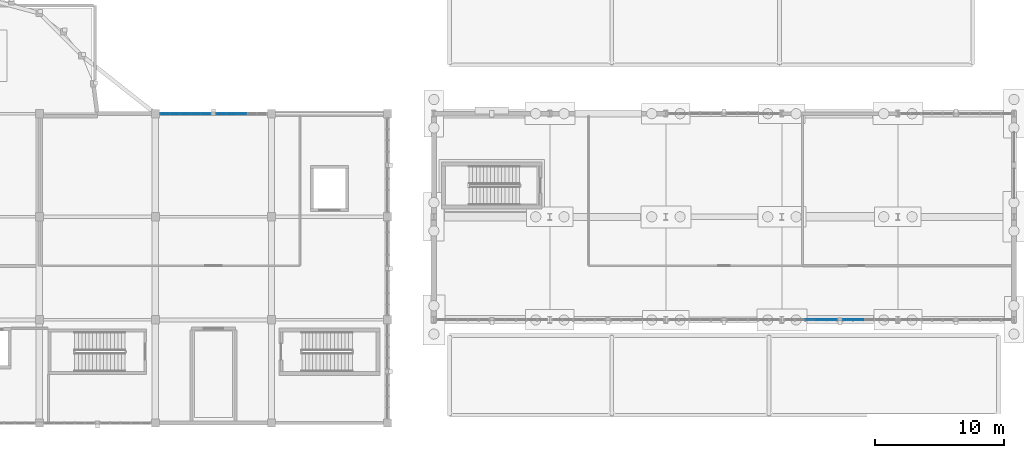
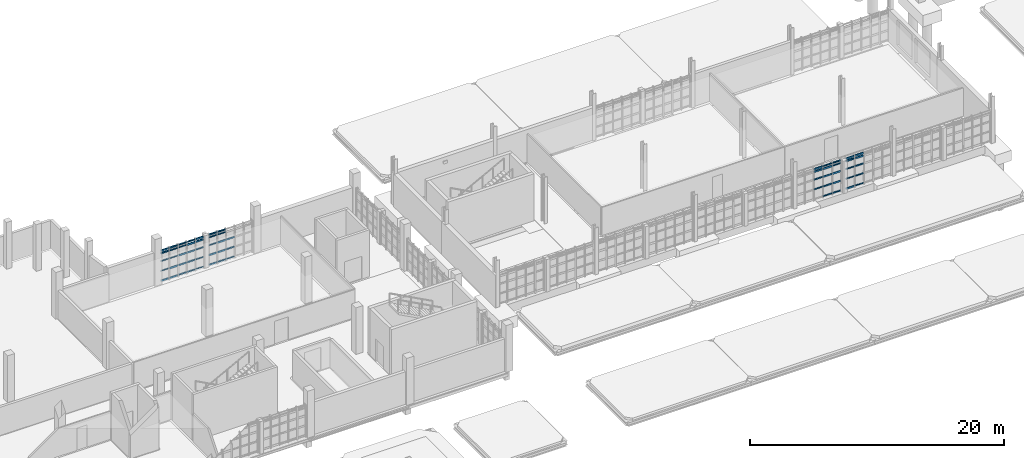
# One storey, part 64 of 125: 62 members, 4 elements without a shape of their own.
"""IFC4 building model written with IfcOpenShell, lengths in metres."""

from ifc_helpers import new_model, si_unit, direction, frame, origin, origin_2d, place, context, subcontext, project, spatial, rectangle, extrude, material, material_profile, profile_set, type_object, element, aggregate, save


model = new_model("IFC4")

# Units and contexts
model_context = context("Model", 3, precision=1e-05, world=origin(), true_north=direction((0.0, 1.0)))
body_context = subcontext(model_context, "Body", "Model", "MODEL_VIEW")
ifc_project = project(units=[si_unit("LENGTHUNIT", "METRE"), si_unit("AREAUNIT", "SQUARE_METRE"), si_unit("VOLUMEUNIT", "CUBIC_METRE"), si_unit("PLANEANGLEUNIT", "RADIAN"), si_unit("MASSUNIT", "GRAM", prefix="KILO")], contexts=[model_context])

# Site, building, storey
site_placement = place(None, origin())
site = spatial("IfcSite", under=ifc_project, at=site_placement, CompositionType="ELEMENT")
building_placement = place(site_placement, origin())
building = spatial("IfcBuilding", under=site, at=building_placement, Name="Serraforn Aerial Cableway Station", CompositionType="ELEMENT")
storey_placement = place(building_placement, frame((0.0, 0.0, 4.5)))
storey = spatial("IfcBuildingStorey", under=building, at=storey_placement, Name="L01", CompositionType="ELEMENT", Elevation=4.5)

# Curtain wall, members
ifc_material_1 = material(Name="Anodised bronze unitised curtain wall")
curtain_wall_type_1 = type_object("IfcCurtainWallType", Name="CW-SYS-27", PredefinedType="USERDEFINED", material=ifc_material_1)
curtain_wall_1_placement = place(storey_placement, origin())
curtain_wall_1 = element("IfcCurtainWall", 1, at=curtain_wall_1_placement, inside=storey, type_object=curtain_wall_type_1, Name="Unitised Curtain Wall CW-CV-L01-N6A", ObjectType="UNITISED CURTAIN WALL", PredefinedType="USERDEFINED")
ifc_material_2 = material(Name="Anodised bronze extruded aluminium", Category="aluminium")
ifc_material_profile_1 = material_profile(ifc_material_2, rectangle(XDim=0.054931640625, YDim=0.110107421875, at=origin_2d()), Name="CW TRANSOM 55x110")
ifc_profile_set_1 = profile_set([ifc_material_profile_1], Name="Anodised bronze extruded aluminium")
member_type_1 = type_object("IfcMemberType", Name="CW-TRN-1", PredefinedType="USERDEFINED", material=ifc_profile_set_1)
member_1_placement = place(storey_placement, frame((78.850830078125, 42.0, 2.74560546875), z_axis=(-1.0, 0.0, 0.0), x_axis=(0.0, -1.0, 0.0)))
member_1 = element("IfcMember", 2, at=member_1_placement, type_object=member_type_1, Name="Curtain Wall Transom CW-CV-L01-N6A-T4-4", ObjectType="TRANSOM", PredefinedType="USERDEFINED", context=body_context, shape_type="SweptSolid", body=[
    extrude(rectangle(XDim=0.054931640625, YDim=0.110107421875, at=origin_2d()), origin(), (0.0, 0.0, 1.0), 0.740966796875),
])
member_2_placement = place(storey_placement, frame((78.048828125, 42.0, 1.996826171875), z_axis=(-1.0, 0.0, 0.0), x_axis=(0.0, -1.0, 0.0)))
member_2 = element("IfcMember", 3, at=member_2_placement, type_object=member_type_1, Name="Curtain Wall Transom CW-CV-L01-N6A-T5-3", ObjectType="TRANSOM", PredefinedType="USERDEFINED", context=body_context, shape_type="SweptSolid", body=[
    extrude(rectangle(XDim=0.054931640625, YDim=0.110107421875, at=origin_2d()), origin(), (0.0, 0.0, 1.0), 0.700927734375),
])

curtain_wall_type_2 = type_object("IfcCurtainWallType", Name="CW-SYS-28", PredefinedType="USERDEFINED", material=ifc_material_1)
curtain_wall_2_placement = place(storey_placement, origin())
curtain_wall_2 = element("IfcCurtainWall", 4, at=curtain_wall_2_placement, inside=storey, type_object=curtain_wall_type_2, Name="Unitised Curtain Wall CW-CV-L01-N6B", ObjectType="UNITISED CURTAIN WALL", PredefinedType="USERDEFINED")
member_3_placement = place(storey_placement, frame((76.846923828125, 42.0, 0.124755859375), z_axis=(-1.0, 0.0, 0.0), x_axis=(0.0, -1.0, 0.0)))
member_3 = element("IfcMember", 5, at=member_3_placement, type_object=member_type_1, Name="Curtain Wall Transom CW-CV-L01-N6B-T1-1", ObjectType="TRANSOM", PredefinedType="USERDEFINED", context=body_context, shape_type="SweptSolid", body=[
    extrude(rectangle(XDim=0.054931640625, YDim=0.110107421875, at=origin_2d()), origin(), (0.0, 0.0, 1.0), 0.700927734375),
])
member_4_placement = place(storey_placement, frame((76.09521484375, 42.0, 2.9951171875), z_axis=(-1.0, 0.0, 0.0), x_axis=(0.0, -1.0, 0.0)))
member_4 = element("IfcMember", 6, at=member_4_placement, type_object=member_type_1, Name="Curtain Wall Transom CW-CV-L01-N6B-T2-5", ObjectType="TRANSOM", PredefinedType="USERDEFINED", context=body_context, shape_type="SweptSolid", body=[
    extrude(rectangle(XDim=0.054931640625, YDim=0.110107421875, at=origin_2d()), origin(), (0.0, 0.0, 1.0), 0.74609375),
])
member_5_placement = place(storey_placement, frame((75.293212890625, 42.0, 2.74560546875), z_axis=(-1.0, 0.0, 0.0), x_axis=(0.0, -1.0, 0.0)))
member_5 = element("IfcMember", 7, at=member_5_placement, type_object=member_type_1, Name="Curtain Wall Transom CW-CV-L01-N6B-T3-4", ObjectType="TRANSOM", PredefinedType="USERDEFINED", context=body_context, shape_type="SweptSolid", body=[
    extrude(rectangle(XDim=0.054931640625, YDim=0.110107421875, at=origin_2d()), origin(), (0.0, 0.0, 1.0), 0.740966796875),
])
member_6_placement = place(storey_placement, frame((74.4912109375, 42.0, 1.996826171875), z_axis=(-1.0, 0.0, 0.0), x_axis=(0.0, -1.0, 0.0)))
member_6 = element("IfcMember", 8, at=member_6_placement, type_object=member_type_1, Name="Curtain Wall Transom CW-CV-L01-N6B-T4-3", ObjectType="TRANSOM", PredefinedType="USERDEFINED", context=body_context, shape_type="SweptSolid", body=[
    extrude(rectangle(XDim=0.054931640625, YDim=0.110107421875, at=origin_2d()), origin(), (0.0, 0.0, 1.0), 0.73583984375),
])
member_7_placement = place(storey_placement, frame((73.689453125, 42.0, 1.060791015625), z_axis=(-1.0, 0.0, 0.0), x_axis=(0.0, -1.0, 0.0)))
member_7 = element("IfcMember", 9, at=member_7_placement, type_object=member_type_1, Name="Curtain Wall Transom CW-CV-L01-N6B-T5-2", ObjectType="TRANSOM", PredefinedType="USERDEFINED", context=body_context, shape_type="SweptSolid", body=[
    extrude(rectangle(XDim=0.054931640625, YDim=0.110107421875, at=origin_2d()), origin(), (0.0, 0.0, 1.0), 0.693359375),
])

curtain_wall_type_3 = type_object("IfcCurtainWallType", Name="CW-SYS-17", PredefinedType="USERDEFINED", material=ifc_material_1)
curtain_wall_3_placement = place(storey_placement, origin())
curtain_wall_3 = element("IfcCurtainWall", 10, at=curtain_wall_3_placement, inside=storey, type_object=curtain_wall_type_3, Name="Unitised Curtain Wall CW-EL-L01-S4A", ObjectType="UNITISED CURTAIN WALL", PredefinedType="USERDEFINED")
member_8_placement = place(storey_placement, frame((123.876708984375, 26.0, 2.9951171875), z_axis=(1.0, 0.0, 0.0), x_axis=(0.0, 1.0, 0.0)))
member_8 = element("IfcMember", 11, at=member_8_placement, type_object=member_type_1, Name="Curtain Wall Transom CW-EL-L01-S4A-T4-5", ObjectType="TRANSOM", PredefinedType="USERDEFINED", context=body_context, shape_type="SweptSolid", body=[
    extrude(rectangle(XDim=0.054931640625, YDim=0.110107421875, at=origin_2d()), origin(), (0.0, 0.0, 1.0), 0.781005859375),
])
member_9_placement = place(storey_placement, frame((124.713623046875, 26.0, 2.74560546875), z_axis=(1.0, 0.0, 0.0), x_axis=(0.0, 1.0, 0.0)))
member_9 = element("IfcMember", 12, at=member_9_placement, type_object=member_type_1, Name="Curtain Wall Transom CW-EL-L01-S4A-T5-4", ObjectType="TRANSOM", PredefinedType="USERDEFINED", context=body_context, shape_type="SweptSolid", body=[
    extrude(rectangle(XDim=0.054931640625, YDim=0.110107421875, at=origin_2d()), origin(), (0.0, 0.0, 1.0), 0.743408203125),
])

curtain_wall_type_4 = type_object("IfcCurtainWallType", Name="CW-SYS-18", PredefinedType="USERDEFINED", material=ifc_material_1)
curtain_wall_4_placement = place(storey_placement, origin())
curtain_wall_4 = element("IfcCurtainWall", 13, at=curtain_wall_4_placement, inside=storey, type_object=curtain_wall_type_4, Name="Unitised Curtain Wall CW-EL-L01-S4B", ObjectType="UNITISED CURTAIN WALL", PredefinedType="USERDEFINED")
member_10_placement = place(storey_placement, frame((125.947998046875, 26.0, 1.060791015625), z_axis=(1.0, 0.0, 0.0), x_axis=(0.0, 1.0, 0.0)))
member_10 = element("IfcMember", 14, at=member_10_placement, type_object=member_type_1, Name="Curtain Wall Transom CW-EL-L01-S4B-T1-2", ObjectType="TRANSOM", PredefinedType="USERDEFINED", context=body_context, shape_type="SweptSolid", body=[
    extrude(rectangle(XDim=0.054931640625, YDim=0.110107421875, at=origin_2d()), origin(), (0.0, 0.0, 1.0), 0.73095703125),
])
member_11_placement = place(storey_placement, frame((126.75, 26.0, 0.124755859375), z_axis=(1.0, 0.0, 0.0), x_axis=(0.0, 1.0, 0.0)))
member_11 = element("IfcMember", 15, at=member_11_placement, type_object=member_type_1, Name="Curtain Wall Transom CW-EL-L01-S4B-T2-1", ObjectType="TRANSOM", PredefinedType="USERDEFINED", context=body_context, shape_type="SweptSolid", body=[
    extrude(rectangle(XDim=0.054931640625, YDim=0.110107421875, at=origin_2d()), origin(), (0.0, 0.0, 1.0), 0.773193359375),
])

# Member
ifc_material_profile_2 = material_profile(ifc_material_2, rectangle(XDim=0.06005859375, YDim=0.1201171875, at=origin_2d()), Name="CW TRANSOM 60x120")
ifc_profile_set_2 = profile_set([ifc_material_profile_2], Name="Anodised bronze extruded aluminium")
member_type_2 = type_object("IfcMemberType", Name="CW-TRN-2", PredefinedType="USERDEFINED", material=ifc_profile_set_2)
member_12_placement = place(storey_placement, frame((79.652587890625, 42.0, 0.124755859375), z_axis=(-1.0, 0.0, 0.0), x_axis=(0.0, -1.0, 0.0)))
member_12 = element("IfcMember", 16, at=member_12_placement, type_object=member_type_2, Name="Curtain Wall Transom CW-CV-L01-N6A-T3-1", ObjectType="TRANSOM", PredefinedType="USERDEFINED", context=body_context, shape_type="SweptSolid", body=[
    extrude(rectangle(XDim=0.06005859375, YDim=0.1201171875, at=origin_2d()), origin(), (0.0, 0.0, 1.0), 0.745849609375),
])

member_13_placement = place(storey_placement, frame((78.850830078125, 42.0, 2.9951171875), z_axis=(-1.0, 0.0, 0.0), x_axis=(0.0, -1.0, 0.0)))
member_13 = element("IfcMember", 17, at=member_13_placement, type_object=member_type_2, Name="Curtain Wall Transom CW-CV-L01-N6A-T4-5", ObjectType="TRANSOM", PredefinedType="USERDEFINED", context=body_context, shape_type="SweptSolid", body=[
    extrude(rectangle(XDim=0.06005859375, YDim=0.1201171875, at=origin_2d()), origin(), (0.0, 0.0, 1.0), 0.740966796875),
])

member_14_placement = place(storey_placement, frame((78.048828125, 42.0, 2.74560546875), z_axis=(-1.0, 0.0, 0.0), x_axis=(0.0, -1.0, 0.0)))
member_14 = element("IfcMember", 18, at=member_14_placement, type_object=member_type_2, Name="Curtain Wall Transom CW-CV-L01-N6A-T5-4", ObjectType="TRANSOM", PredefinedType="USERDEFINED", context=body_context, shape_type="SweptSolid", body=[
    extrude(rectangle(XDim=0.06005859375, YDim=0.1201171875, at=origin_2d()), origin(), (0.0, 0.0, 1.0), 0.700927734375),
])

member_15_placement = place(storey_placement, frame((76.846923828125, 42.0, 1.060791015625), z_axis=(-1.0, 0.0, 0.0), x_axis=(0.0, -1.0, 0.0)))
member_15 = element("IfcMember", 19, at=member_15_placement, type_object=member_type_2, Name="Curtain Wall Transom CW-CV-L01-N6B-T1-2", ObjectType="TRANSOM", PredefinedType="USERDEFINED", context=body_context, shape_type="SweptSolid", body=[
    extrude(rectangle(XDim=0.06005859375, YDim=0.1201171875, at=origin_2d()), origin(), (0.0, 0.0, 1.0), 0.700927734375),
])

member_16_placement = place(storey_placement, frame((76.09521484375, 42.0, 0.124755859375), z_axis=(-1.0, 0.0, 0.0), x_axis=(0.0, -1.0, 0.0)))
member_16 = element("IfcMember", 20, at=member_16_placement, type_object=member_type_2, Name="Curtain Wall Transom CW-CV-L01-N6B-T2-1", ObjectType="TRANSOM", PredefinedType="USERDEFINED", context=body_context, shape_type="SweptSolid", body=[
    extrude(rectangle(XDim=0.06005859375, YDim=0.1201171875, at=origin_2d()), origin(), (0.0, 0.0, 1.0), 0.74609375),
])

member_17_placement = place(storey_placement, frame((75.293212890625, 42.0, 2.9951171875), z_axis=(-1.0, 0.0, 0.0), x_axis=(0.0, -1.0, 0.0)))
member_17 = element("IfcMember", 21, at=member_17_placement, type_object=member_type_2, Name="Curtain Wall Transom CW-CV-L01-N6B-T3-5", ObjectType="TRANSOM", PredefinedType="USERDEFINED", context=body_context, shape_type="SweptSolid", body=[
    extrude(rectangle(XDim=0.06005859375, YDim=0.1201171875, at=origin_2d()), origin(), (0.0, 0.0, 1.0), 0.740966796875),
])

member_18_placement = place(storey_placement, frame((74.4912109375, 42.0, 2.74560546875), z_axis=(-1.0, 0.0, 0.0), x_axis=(0.0, -1.0, 0.0)))
member_18 = element("IfcMember", 22, at=member_18_placement, type_object=member_type_2, Name="Curtain Wall Transom CW-CV-L01-N6B-T4-4", ObjectType="TRANSOM", PredefinedType="USERDEFINED", context=body_context, shape_type="SweptSolid", body=[
    extrude(rectangle(XDim=0.06005859375, YDim=0.1201171875, at=origin_2d()), origin(), (0.0, 0.0, 1.0), 0.73583984375),
])

member_19_placement = place(storey_placement, frame((73.689453125, 42.0, 1.996826171875), z_axis=(-1.0, 0.0, 0.0), x_axis=(0.0, -1.0, 0.0)))
member_19 = element("IfcMember", 23, at=member_19_placement, type_object=member_type_2, Name="Curtain Wall Transom CW-CV-L01-N6B-T5-3", ObjectType="TRANSOM", PredefinedType="USERDEFINED", context=body_context, shape_type="SweptSolid", body=[
    extrude(rectangle(XDim=0.06005859375, YDim=0.1201171875, at=origin_2d()), origin(), (0.0, 0.0, 1.0), 0.693359375),
])

member_20_placement = place(storey_placement, frame((123.05224609375, 26.0, 1.060791015625), z_axis=(1.0, 0.0, 0.0), x_axis=(0.0, 1.0, 0.0)))
member_20 = element("IfcMember", 24, at=member_20_placement, type_object=member_type_2, Name="Curtain Wall Transom CW-EL-L01-S4A-T3-2", ObjectType="TRANSOM", PredefinedType="USERDEFINED", context=body_context, shape_type="SweptSolid", body=[
    extrude(rectangle(XDim=0.06005859375, YDim=0.1201171875, at=origin_2d()), origin(), (0.0, 0.0, 1.0), 0.7734375),
])

member_21_placement = place(storey_placement, frame((123.876708984375, 26.0, 0.124755859375), z_axis=(1.0, 0.0, 0.0), x_axis=(0.0, 1.0, 0.0)))
member_21 = element("IfcMember", 25, at=member_21_placement, type_object=member_type_2, Name="Curtain Wall Transom CW-EL-L01-S4A-T4-1", ObjectType="TRANSOM", PredefinedType="USERDEFINED", context=body_context, shape_type="SweptSolid", body=[
    extrude(rectangle(XDim=0.06005859375, YDim=0.1201171875, at=origin_2d()), origin(), (0.0, 0.0, 1.0), 0.781005859375),
])

member_22_placement = place(storey_placement, frame((124.713623046875, 26.0, 2.9951171875), z_axis=(1.0, 0.0, 0.0), x_axis=(0.0, 1.0, 0.0)))
member_22 = element("IfcMember", 26, at=member_22_placement, type_object=member_type_2, Name="Curtain Wall Transom CW-EL-L01-S4A-T5-5", ObjectType="TRANSOM", PredefinedType="USERDEFINED", context=body_context, shape_type="SweptSolid", body=[
    extrude(rectangle(XDim=0.06005859375, YDim=0.1201171875, at=origin_2d()), origin(), (0.0, 0.0, 1.0), 0.743408203125),
])

member_23_placement = place(storey_placement, frame((125.947998046875, 26.0, 1.996826171875), z_axis=(1.0, 0.0, 0.0), x_axis=(0.0, 1.0, 0.0)))
member_23 = element("IfcMember", 27, at=member_23_placement, type_object=member_type_2, Name="Curtain Wall Transom CW-EL-L01-S4B-T1-3", ObjectType="TRANSOM", PredefinedType="USERDEFINED", context=body_context, shape_type="SweptSolid", body=[
    extrude(rectangle(XDim=0.06005859375, YDim=0.1201171875, at=origin_2d()), origin(), (0.0, 0.0, 1.0), 0.73095703125),
])

member_24_placement = place(storey_placement, frame((126.75, 26.0, 1.060791015625), z_axis=(1.0, 0.0, 0.0), x_axis=(0.0, 1.0, 0.0)))
member_24 = element("IfcMember", 28, at=member_24_placement, type_object=member_type_2, Name="Curtain Wall Transom CW-EL-L01-S4B-T2-2", ObjectType="TRANSOM", PredefinedType="USERDEFINED", context=body_context, shape_type="SweptSolid", body=[
    extrude(rectangle(XDim=0.06005859375, YDim=0.1201171875, at=origin_2d()), origin(), (0.0, 0.0, 1.0), 0.773193359375),
])

ifc_material_profile_3 = material_profile(ifc_material_2, rectangle(XDim=0.06494140625, YDim=0.135009765625, at=origin_2d()), Name="CW TRANSOM 65x135")
ifc_profile_set_3 = profile_set([ifc_material_profile_3], Name="Anodised bronze extruded aluminium")
member_type_3 = type_object("IfcMemberType", Name="CW-TRN-3", PredefinedType="USERDEFINED", material=ifc_profile_set_3)
member_25_placement = place(storey_placement, frame((79.652587890625, 42.0, 1.060791015625), z_axis=(-1.0, 0.0, 0.0), x_axis=(0.0, -1.0, 0.0)))
member_25 = element("IfcMember", 29, at=member_25_placement, type_object=member_type_3, Name="Curtain Wall Transom CW-CV-L01-N6A-T3-2", ObjectType="TRANSOM", PredefinedType="USERDEFINED", context=body_context, shape_type="SweptSolid", body=[
    extrude(rectangle(XDim=0.06494140625, YDim=0.135009765625, at=origin_2d()), origin(), (0.0, 0.0, 1.0), 0.745849609375),
])

member_26_placement = place(storey_placement, frame((78.850830078125, 42.0, 0.124755859375), z_axis=(-1.0, 0.0, 0.0), x_axis=(0.0, -1.0, 0.0)))
member_26 = element("IfcMember", 30, at=member_26_placement, type_object=member_type_3, Name="Curtain Wall Transom CW-CV-L01-N6A-T4-1", ObjectType="TRANSOM", PredefinedType="USERDEFINED", context=body_context, shape_type="SweptSolid", body=[
    extrude(rectangle(XDim=0.06494140625, YDim=0.135009765625, at=origin_2d()), origin(), (0.0, 0.0, 1.0), 0.740966796875),
])

member_27_placement = place(storey_placement, frame((78.048828125, 42.0, 2.9951171875), z_axis=(-1.0, 0.0, 0.0), x_axis=(0.0, -1.0, 0.0)))
member_27 = element("IfcMember", 31, at=member_27_placement, type_object=member_type_3, Name="Curtain Wall Transom CW-CV-L01-N6A-T5-5", ObjectType="TRANSOM", PredefinedType="USERDEFINED", context=body_context, shape_type="SweptSolid", body=[
    extrude(rectangle(XDim=0.06494140625, YDim=0.135009765625, at=origin_2d()), origin(), (0.0, 0.0, 1.0), 0.700927734375),
])

member_28_placement = place(storey_placement, frame((76.846923828125, 42.0, 1.996826171875), z_axis=(-1.0, 0.0, 0.0), x_axis=(0.0, -1.0, 0.0)))
member_28 = element("IfcMember", 32, at=member_28_placement, type_object=member_type_3, Name="Curtain Wall Transom CW-CV-L01-N6B-T1-3", ObjectType="TRANSOM", PredefinedType="USERDEFINED", context=body_context, shape_type="SweptSolid", body=[
    extrude(rectangle(XDim=0.06494140625, YDim=0.135009765625, at=origin_2d()), origin(), (0.0, 0.0, 1.0), 0.700927734375),
])

member_29_placement = place(storey_placement, frame((76.09521484375, 42.0, 1.060791015625), z_axis=(-1.0, 0.0, 0.0), x_axis=(0.0, -1.0, 0.0)))
member_29 = element("IfcMember", 33, at=member_29_placement, type_object=member_type_3, Name="Curtain Wall Transom CW-CV-L01-N6B-T2-2", ObjectType="TRANSOM", PredefinedType="USERDEFINED", context=body_context, shape_type="SweptSolid", body=[
    extrude(rectangle(XDim=0.06494140625, YDim=0.135009765625, at=origin_2d()), origin(), (0.0, 0.0, 1.0), 0.74609375),
])

member_30_placement = place(storey_placement, frame((75.293212890625, 42.0, 0.124755859375), z_axis=(-1.0, 0.0, 0.0), x_axis=(0.0, -1.0, 0.0)))
member_30 = element("IfcMember", 34, at=member_30_placement, type_object=member_type_3, Name="Curtain Wall Transom CW-CV-L01-N6B-T3-1", ObjectType="TRANSOM", PredefinedType="USERDEFINED", context=body_context, shape_type="SweptSolid", body=[
    extrude(rectangle(XDim=0.06494140625, YDim=0.135009765625, at=origin_2d()), origin(), (0.0, 0.0, 1.0), 0.740966796875),
])

member_31_placement = place(storey_placement, frame((74.4912109375, 42.0, 2.9951171875), z_axis=(-1.0, 0.0, 0.0), x_axis=(0.0, -1.0, 0.0)))
member_31 = element("IfcMember", 35, at=member_31_placement, type_object=member_type_3, Name="Curtain Wall Transom CW-CV-L01-N6B-T4-5", ObjectType="TRANSOM", PredefinedType="USERDEFINED", context=body_context, shape_type="SweptSolid", body=[
    extrude(rectangle(XDim=0.06494140625, YDim=0.135009765625, at=origin_2d()), origin(), (0.0, 0.0, 1.0), 0.73583984375),
])

member_32_placement = place(storey_placement, frame((73.689453125, 42.0, 2.74560546875), z_axis=(-1.0, 0.0, 0.0), x_axis=(0.0, -1.0, 0.0)))
member_32 = element("IfcMember", 36, at=member_32_placement, type_object=member_type_3, Name="Curtain Wall Transom CW-CV-L01-N6B-T5-4", ObjectType="TRANSOM", PredefinedType="USERDEFINED", context=body_context, shape_type="SweptSolid", body=[
    extrude(rectangle(XDim=0.06494140625, YDim=0.135009765625, at=origin_2d()), origin(), (0.0, 0.0, 1.0), 0.693359375),
])

member_33_placement = place(storey_placement, frame((123.05224609375, 26.0, 1.996826171875), z_axis=(1.0, 0.0, 0.0), x_axis=(0.0, 1.0, 0.0)))
member_33 = element("IfcMember", 37, at=member_33_placement, type_object=member_type_3, Name="Curtain Wall Transom CW-EL-L01-S4A-T3-3", ObjectType="TRANSOM", PredefinedType="USERDEFINED", context=body_context, shape_type="SweptSolid", body=[
    extrude(rectangle(XDim=0.06494140625, YDim=0.135009765625, at=origin_2d()), origin(), (0.0, 0.0, 1.0), 0.7734375),
])

member_34_placement = place(storey_placement, frame((123.876708984375, 26.0, 1.060791015625), z_axis=(1.0, 0.0, 0.0), x_axis=(0.0, 1.0, 0.0)))
member_34 = element("IfcMember", 38, at=member_34_placement, type_object=member_type_3, Name="Curtain Wall Transom CW-EL-L01-S4A-T4-2", ObjectType="TRANSOM", PredefinedType="USERDEFINED", context=body_context, shape_type="SweptSolid", body=[
    extrude(rectangle(XDim=0.06494140625, YDim=0.135009765625, at=origin_2d()), origin(), (0.0, 0.0, 1.0), 0.781005859375),
])

member_35_placement = place(storey_placement, frame((124.713623046875, 26.0, 0.124755859375), z_axis=(1.0, 0.0, 0.0), x_axis=(0.0, 1.0, 0.0)))
member_35 = element("IfcMember", 39, at=member_35_placement, type_object=member_type_3, Name="Curtain Wall Transom CW-EL-L01-S4A-T5-1", ObjectType="TRANSOM", PredefinedType="USERDEFINED", context=body_context, shape_type="SweptSolid", body=[
    extrude(rectangle(XDim=0.06494140625, YDim=0.135009765625, at=origin_2d()), origin(), (0.0, 0.0, 1.0), 0.743408203125),
])

member_36_placement = place(storey_placement, frame((125.947998046875, 26.0, 2.74560546875), z_axis=(1.0, 0.0, 0.0), x_axis=(0.0, 1.0, 0.0)))
member_36 = element("IfcMember", 40, at=member_36_placement, type_object=member_type_3, Name="Curtain Wall Transom CW-EL-L01-S4B-T1-4", ObjectType="TRANSOM", PredefinedType="USERDEFINED", context=body_context, shape_type="SweptSolid", body=[
    extrude(rectangle(XDim=0.06494140625, YDim=0.135009765625, at=origin_2d()), origin(), (0.0, 0.0, 1.0), 0.73095703125),
])

member_37_placement = place(storey_placement, frame((126.75, 26.0, 1.996826171875), z_axis=(1.0, 0.0, 0.0), x_axis=(0.0, 1.0, 0.0)))
member_37 = element("IfcMember", 41, at=member_37_placement, type_object=member_type_3, Name="Curtain Wall Transom CW-EL-L01-S4B-T2-3", ObjectType="TRANSOM", PredefinedType="USERDEFINED", context=body_context, shape_type="SweptSolid", body=[
    extrude(rectangle(XDim=0.06494140625, YDim=0.135009765625, at=origin_2d()), origin(), (0.0, 0.0, 1.0), 0.773193359375),
])

ifc_material_profile_4 = material_profile(ifc_material_2, rectangle(XDim=0.070068359375, YDim=0.14990234375, at=origin_2d()), Name="CW TRANSOM 70x150")
ifc_profile_set_4 = profile_set([ifc_material_profile_4], Name="Anodised bronze extruded aluminium")
member_type_4 = type_object("IfcMemberType", Name="CW-TRN-4", PredefinedType="USERDEFINED", material=ifc_profile_set_4)
member_38_placement = place(storey_placement, frame((79.652587890625, 42.0, 1.996826171875), z_axis=(-1.0, 0.0, 0.0), x_axis=(0.0, -1.0, 0.0)))
member_38 = element("IfcMember", 42, at=member_38_placement, type_object=member_type_4, Name="Curtain Wall Transom CW-CV-L01-N6A-T3-3", ObjectType="TRANSOM", PredefinedType="USERDEFINED", context=body_context, shape_type="SweptSolid", body=[
    extrude(rectangle(XDim=0.070068359375, YDim=0.14990234375, at=origin_2d()), origin(), (0.0, 0.0, 1.0), 0.745849609375),
])

member_39_placement = place(storey_placement, frame((78.850830078125, 42.0, 1.060791015625), z_axis=(-1.0, 0.0, 0.0), x_axis=(0.0, -1.0, 0.0)))
member_39 = element("IfcMember", 43, at=member_39_placement, type_object=member_type_4, Name="Curtain Wall Transom CW-CV-L01-N6A-T4-2", ObjectType="TRANSOM", PredefinedType="USERDEFINED", context=body_context, shape_type="SweptSolid", body=[
    extrude(rectangle(XDim=0.070068359375, YDim=0.14990234375, at=origin_2d()), origin(), (0.0, 0.0, 1.0), 0.740966796875),
])

member_40_placement = place(storey_placement, frame((78.048828125, 42.0, 0.124755859375), z_axis=(-1.0, 0.0, 0.0), x_axis=(0.0, -1.0, 0.0)))
member_40 = element("IfcMember", 44, at=member_40_placement, type_object=member_type_4, Name="Curtain Wall Transom CW-CV-L01-N6A-T5-1", ObjectType="TRANSOM", PredefinedType="USERDEFINED", context=body_context, shape_type="SweptSolid", body=[
    extrude(rectangle(XDim=0.070068359375, YDim=0.14990234375, at=origin_2d()), origin(), (0.0, 0.0, 1.0), 0.700927734375),
])

member_41_placement = place(storey_placement, frame((76.846923828125, 42.0, 2.74560546875), z_axis=(-1.0, 0.0, 0.0), x_axis=(0.0, -1.0, 0.0)))
member_41 = element("IfcMember", 45, at=member_41_placement, type_object=member_type_4, Name="Curtain Wall Transom CW-CV-L01-N6B-T1-4", ObjectType="TRANSOM", PredefinedType="USERDEFINED", context=body_context, shape_type="SweptSolid", body=[
    extrude(rectangle(XDim=0.070068359375, YDim=0.14990234375, at=origin_2d()), origin(), (0.0, 0.0, 1.0), 0.700927734375),
])

member_42_placement = place(storey_placement, frame((76.09521484375, 42.0, 1.996826171875), z_axis=(-1.0, 0.0, 0.0), x_axis=(0.0, -1.0, 0.0)))
member_42 = element("IfcMember", 46, at=member_42_placement, type_object=member_type_4, Name="Curtain Wall Transom CW-CV-L01-N6B-T2-3", ObjectType="TRANSOM", PredefinedType="USERDEFINED", context=body_context, shape_type="SweptSolid", body=[
    extrude(rectangle(XDim=0.070068359375, YDim=0.14990234375, at=origin_2d()), origin(), (0.0, 0.0, 1.0), 0.74609375),
])

member_43_placement = place(storey_placement, frame((75.293212890625, 42.0, 1.060791015625), z_axis=(-1.0, 0.0, 0.0), x_axis=(0.0, -1.0, 0.0)))
member_43 = element("IfcMember", 47, at=member_43_placement, type_object=member_type_4, Name="Curtain Wall Transom CW-CV-L01-N6B-T3-2", ObjectType="TRANSOM", PredefinedType="USERDEFINED", context=body_context, shape_type="SweptSolid", body=[
    extrude(rectangle(XDim=0.070068359375, YDim=0.14990234375, at=origin_2d()), origin(), (0.0, 0.0, 1.0), 0.740966796875),
])

member_44_placement = place(storey_placement, frame((74.4912109375, 42.0, 0.124755859375), z_axis=(-1.0, 0.0, 0.0), x_axis=(0.0, -1.0, 0.0)))
member_44 = element("IfcMember", 48, at=member_44_placement, type_object=member_type_4, Name="Curtain Wall Transom CW-CV-L01-N6B-T4-1", ObjectType="TRANSOM", PredefinedType="USERDEFINED", context=body_context, shape_type="SweptSolid", body=[
    extrude(rectangle(XDim=0.070068359375, YDim=0.14990234375, at=origin_2d()), origin(), (0.0, 0.0, 1.0), 0.73583984375),
])

member_45_placement = place(storey_placement, frame((73.689453125, 42.0, 2.9951171875), z_axis=(-1.0, 0.0, 0.0), x_axis=(0.0, -1.0, 0.0)))
member_45 = element("IfcMember", 49, at=member_45_placement, type_object=member_type_4, Name="Curtain Wall Transom CW-CV-L01-N6B-T5-5", ObjectType="TRANSOM", PredefinedType="USERDEFINED", context=body_context, shape_type="SweptSolid", body=[
    extrude(rectangle(XDim=0.070068359375, YDim=0.14990234375, at=origin_2d()), origin(), (0.0, 0.0, 1.0), 0.693359375),
])

member_46_placement = place(storey_placement, frame((123.05224609375, 26.0, 2.74560546875), z_axis=(1.0, 0.0, 0.0), x_axis=(0.0, 1.0, 0.0)))
member_46 = element("IfcMember", 50, at=member_46_placement, type_object=member_type_4, Name="Curtain Wall Transom CW-EL-L01-S4A-T3-4", ObjectType="TRANSOM", PredefinedType="USERDEFINED", context=body_context, shape_type="SweptSolid", body=[
    extrude(rectangle(XDim=0.070068359375, YDim=0.14990234375, at=origin_2d()), origin(), (0.0, 0.0, 1.0), 0.7734375),
])

member_47_placement = place(storey_placement, frame((123.876708984375, 26.0, 1.996826171875), z_axis=(1.0, 0.0, 0.0), x_axis=(0.0, 1.0, 0.0)))
member_47 = element("IfcMember", 51, at=member_47_placement, type_object=member_type_4, Name="Curtain Wall Transom CW-EL-L01-S4A-T4-3", ObjectType="TRANSOM", PredefinedType="USERDEFINED", context=body_context, shape_type="SweptSolid", body=[
    extrude(rectangle(XDim=0.070068359375, YDim=0.14990234375, at=origin_2d()), origin(), (0.0, 0.0, 1.0), 0.781005859375),
])

member_48_placement = place(storey_placement, frame((124.713623046875, 26.0, 1.060791015625), z_axis=(1.0, 0.0, 0.0), x_axis=(0.0, 1.0, 0.0)))
member_48 = element("IfcMember", 52, at=member_48_placement, type_object=member_type_4, Name="Curtain Wall Transom CW-EL-L01-S4A-T5-2", ObjectType="TRANSOM", PredefinedType="USERDEFINED", context=body_context, shape_type="SweptSolid", body=[
    extrude(rectangle(XDim=0.070068359375, YDim=0.14990234375, at=origin_2d()), origin(), (0.0, 0.0, 1.0), 0.743408203125),
])

member_49_placement = place(storey_placement, frame((125.947998046875, 26.0, 2.9951171875), z_axis=(1.0, 0.0, 0.0), x_axis=(0.0, 1.0, 0.0)))
member_49 = element("IfcMember", 53, at=member_49_placement, type_object=member_type_4, Name="Curtain Wall Transom CW-EL-L01-S4B-T1-5", ObjectType="TRANSOM", PredefinedType="USERDEFINED", context=body_context, shape_type="SweptSolid", body=[
    extrude(rectangle(XDim=0.070068359375, YDim=0.14990234375, at=origin_2d()), origin(), (0.0, 0.0, 1.0), 0.73095703125),
])

member_50_placement = place(storey_placement, frame((126.75, 26.0, 2.74560546875), z_axis=(1.0, 0.0, 0.0), x_axis=(0.0, 1.0, 0.0)))
member_50 = element("IfcMember", 54, at=member_50_placement, type_object=member_type_4, Name="Curtain Wall Transom CW-EL-L01-S4B-T2-4", ObjectType="TRANSOM", PredefinedType="USERDEFINED", context=body_context, shape_type="SweptSolid", body=[
    extrude(rectangle(XDim=0.070068359375, YDim=0.14990234375, at=origin_2d()), origin(), (0.0, 0.0, 1.0), 0.773193359375),
])

ifc_material_profile_5 = material_profile(ifc_material_2, rectangle(XDim=0.074951171875, YDim=0.1650390625, at=origin_2d()), Name="CW TRANSOM 75x165")
ifc_profile_set_5 = profile_set([ifc_material_profile_5], Name="Anodised bronze extruded aluminium")
member_type_5 = type_object("IfcMemberType", Name="CW-TRN-5", PredefinedType="USERDEFINED", material=ifc_profile_set_5)
member_51_placement = place(storey_placement, frame((78.850830078125, 42.0, 1.996826171875), z_axis=(-1.0, 0.0, 0.0), x_axis=(0.0, -1.0, 0.0)))
member_51 = element("IfcMember", 55, at=member_51_placement, type_object=member_type_5, Name="Curtain Wall Transom CW-CV-L01-N6A-T4-3", ObjectType="TRANSOM", PredefinedType="USERDEFINED", context=body_context, shape_type="SweptSolid", body=[
    extrude(rectangle(XDim=0.074951171875, YDim=0.1650390625, at=origin_2d()), origin(), (0.0, 0.0, 1.0), 0.740966796875),
])

member_52_placement = place(storey_placement, frame((78.048828125, 42.0, 1.060791015625), z_axis=(-1.0, 0.0, 0.0), x_axis=(0.0, -1.0, 0.0)))
member_52 = element("IfcMember", 56, at=member_52_placement, type_object=member_type_5, Name="Curtain Wall Transom CW-CV-L01-N6A-T5-2", ObjectType="TRANSOM", PredefinedType="USERDEFINED", context=body_context, shape_type="SweptSolid", body=[
    extrude(rectangle(XDim=0.074951171875, YDim=0.1650390625, at=origin_2d()), origin(), (0.0, 0.0, 1.0), 0.700927734375),
])

aggregate(curtain_wall_1, [member_12, member_25, member_38, member_26, member_39, member_51, member_1, member_13, member_40, member_52, member_2, member_14, member_27])

member_53_placement = place(storey_placement, frame((76.846923828125, 42.0, 2.9951171875), z_axis=(-1.0, 0.0, 0.0), x_axis=(0.0, -1.0, 0.0)))
member_53 = element("IfcMember", 57, at=member_53_placement, type_object=member_type_5, Name="Curtain Wall Transom CW-CV-L01-N6B-T1-5", ObjectType="TRANSOM", PredefinedType="USERDEFINED", context=body_context, shape_type="SweptSolid", body=[
    extrude(rectangle(XDim=0.074951171875, YDim=0.1650390625, at=origin_2d()), origin(), (0.0, 0.0, 1.0), 0.700927734375),
])

member_54_placement = place(storey_placement, frame((76.09521484375, 42.0, 2.74560546875), z_axis=(-1.0, 0.0, 0.0), x_axis=(0.0, -1.0, 0.0)))
member_54 = element("IfcMember", 58, at=member_54_placement, type_object=member_type_5, Name="Curtain Wall Transom CW-CV-L01-N6B-T2-4", ObjectType="TRANSOM", PredefinedType="USERDEFINED", context=body_context, shape_type="SweptSolid", body=[
    extrude(rectangle(XDim=0.074951171875, YDim=0.1650390625, at=origin_2d()), origin(), (0.0, 0.0, 1.0), 0.74609375),
])

member_55_placement = place(storey_placement, frame((75.293212890625, 42.0, 1.996826171875), z_axis=(-1.0, 0.0, 0.0), x_axis=(0.0, -1.0, 0.0)))
member_55 = element("IfcMember", 59, at=member_55_placement, type_object=member_type_5, Name="Curtain Wall Transom CW-CV-L01-N6B-T3-3", ObjectType="TRANSOM", PredefinedType="USERDEFINED", context=body_context, shape_type="SweptSolid", body=[
    extrude(rectangle(XDim=0.074951171875, YDim=0.1650390625, at=origin_2d()), origin(), (0.0, 0.0, 1.0), 0.740966796875),
])

member_56_placement = place(storey_placement, frame((74.4912109375, 42.0, 1.060791015625), z_axis=(-1.0, 0.0, 0.0), x_axis=(0.0, -1.0, 0.0)))
member_56 = element("IfcMember", 60, at=member_56_placement, type_object=member_type_5, Name="Curtain Wall Transom CW-CV-L01-N6B-T4-2", ObjectType="TRANSOM", PredefinedType="USERDEFINED", context=body_context, shape_type="SweptSolid", body=[
    extrude(rectangle(XDim=0.074951171875, YDim=0.1650390625, at=origin_2d()), origin(), (0.0, 0.0, 1.0), 0.73583984375),
])

member_57_placement = place(storey_placement, frame((73.689453125, 42.0, 0.124755859375), z_axis=(-1.0, 0.0, 0.0), x_axis=(0.0, -1.0, 0.0)))
member_57 = element("IfcMember", 61, at=member_57_placement, type_object=member_type_5, Name="Curtain Wall Transom CW-CV-L01-N6B-T5-1", ObjectType="TRANSOM", PredefinedType="USERDEFINED", context=body_context, shape_type="SweptSolid", body=[
    extrude(rectangle(XDim=0.074951171875, YDim=0.1650390625, at=origin_2d()), origin(), (0.0, 0.0, 1.0), 0.693359375),
])

aggregate(curtain_wall_2, [member_3, member_15, member_28, member_41, member_53, member_16, member_29, member_42, member_54, member_4, member_30, member_43, member_55, member_5, member_17, member_44, member_56, member_6, member_18, member_31, member_57, member_7, member_19, member_32, member_45])

member_58_placement = place(storey_placement, frame((123.05224609375, 26.0, 2.9951171875), z_axis=(1.0, 0.0, 0.0), x_axis=(0.0, 1.0, 0.0)))
member_58 = element("IfcMember", 62, at=member_58_placement, type_object=member_type_5, Name="Curtain Wall Transom CW-EL-L01-S4A-T3-5", ObjectType="TRANSOM", PredefinedType="USERDEFINED", context=body_context, shape_type="SweptSolid", body=[
    extrude(rectangle(XDim=0.074951171875, YDim=0.1650390625, at=origin_2d()), origin(), (0.0, 0.0, 1.0), 0.7734375),
])

member_59_placement = place(storey_placement, frame((123.876708984375, 26.0, 2.74560546875), z_axis=(1.0, 0.0, 0.0), x_axis=(0.0, 1.0, 0.0)))
member_59 = element("IfcMember", 63, at=member_59_placement, type_object=member_type_5, Name="Curtain Wall Transom CW-EL-L01-S4A-T4-4", ObjectType="TRANSOM", PredefinedType="USERDEFINED", context=body_context, shape_type="SweptSolid", body=[
    extrude(rectangle(XDim=0.074951171875, YDim=0.1650390625, at=origin_2d()), origin(), (0.0, 0.0, 1.0), 0.781005859375),
])

member_60_placement = place(storey_placement, frame((124.713623046875, 26.0, 1.996826171875), z_axis=(1.0, 0.0, 0.0), x_axis=(0.0, 1.0, 0.0)))
member_60 = element("IfcMember", 64, at=member_60_placement, type_object=member_type_5, Name="Curtain Wall Transom CW-EL-L01-S4A-T5-3", ObjectType="TRANSOM", PredefinedType="USERDEFINED", context=body_context, shape_type="SweptSolid", body=[
    extrude(rectangle(XDim=0.074951171875, YDim=0.1650390625, at=origin_2d()), origin(), (0.0, 0.0, 1.0), 0.743408203125),
])

aggregate(curtain_wall_3, [member_20, member_33, member_46, member_58, member_21, member_34, member_47, member_59, member_8, member_35, member_48, member_60, member_9, member_22])

member_61_placement = place(storey_placement, frame((125.947998046875, 26.0, 0.124755859375), z_axis=(1.0, 0.0, 0.0), x_axis=(0.0, 1.0, 0.0)))
member_61 = element("IfcMember", 65, at=member_61_placement, type_object=member_type_5, Name="Curtain Wall Transom CW-EL-L01-S4B-T1-1", ObjectType="TRANSOM", PredefinedType="USERDEFINED", context=body_context, shape_type="SweptSolid", body=[
    extrude(rectangle(XDim=0.074951171875, YDim=0.1650390625, at=origin_2d()), origin(), (0.0, 0.0, 1.0), 0.73095703125),
])

member_62_placement = place(storey_placement, frame((126.75, 26.0, 2.9951171875), z_axis=(1.0, 0.0, 0.0), x_axis=(0.0, 1.0, 0.0)))
member_62 = element("IfcMember", 66, at=member_62_placement, type_object=member_type_5, Name="Curtain Wall Transom CW-EL-L01-S4B-T2-5", ObjectType="TRANSOM", PredefinedType="USERDEFINED", context=body_context, shape_type="SweptSolid", body=[
    extrude(rectangle(XDim=0.074951171875, YDim=0.1650390625, at=origin_2d()), origin(), (0.0, 0.0, 1.0), 0.773193359375),
])

aggregate(curtain_wall_4, [member_61, member_10, member_23, member_36, member_49, member_11, member_24, member_37, member_50, member_62])

save(model, "model.ifc")
